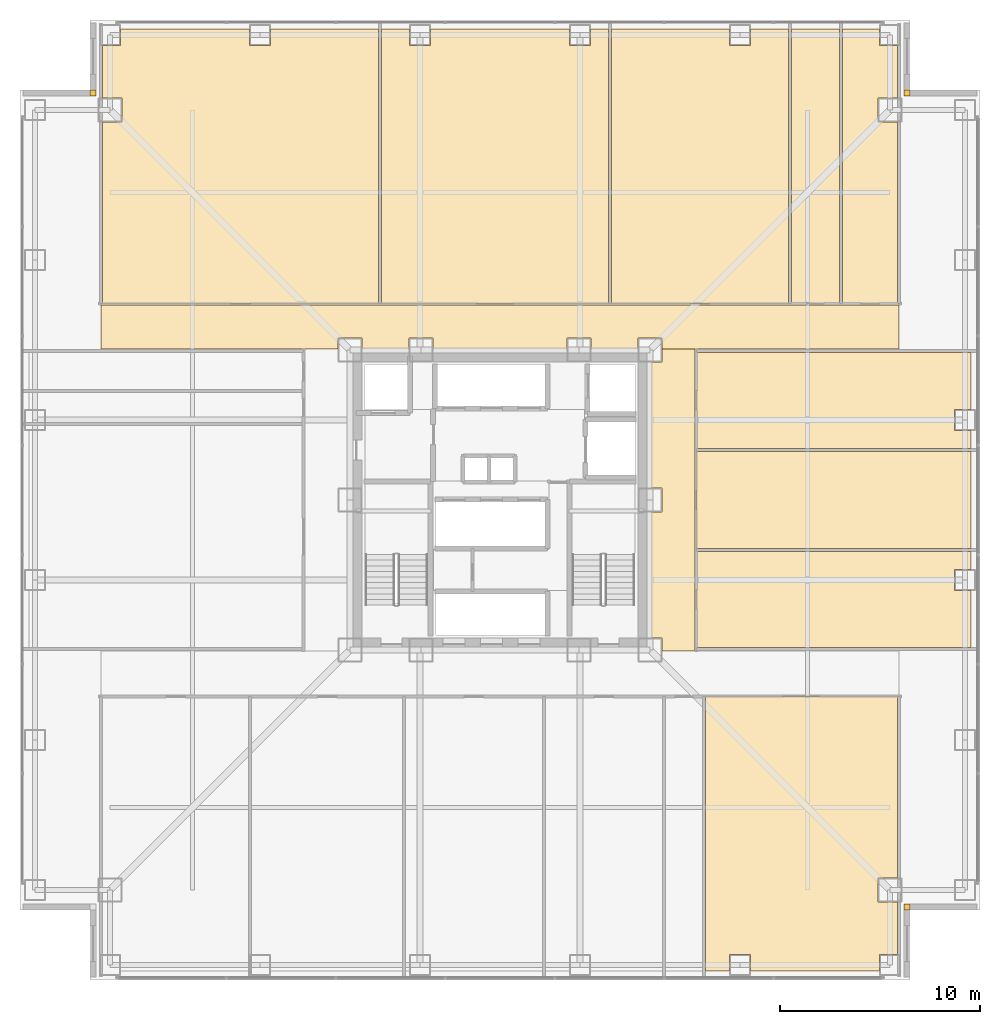
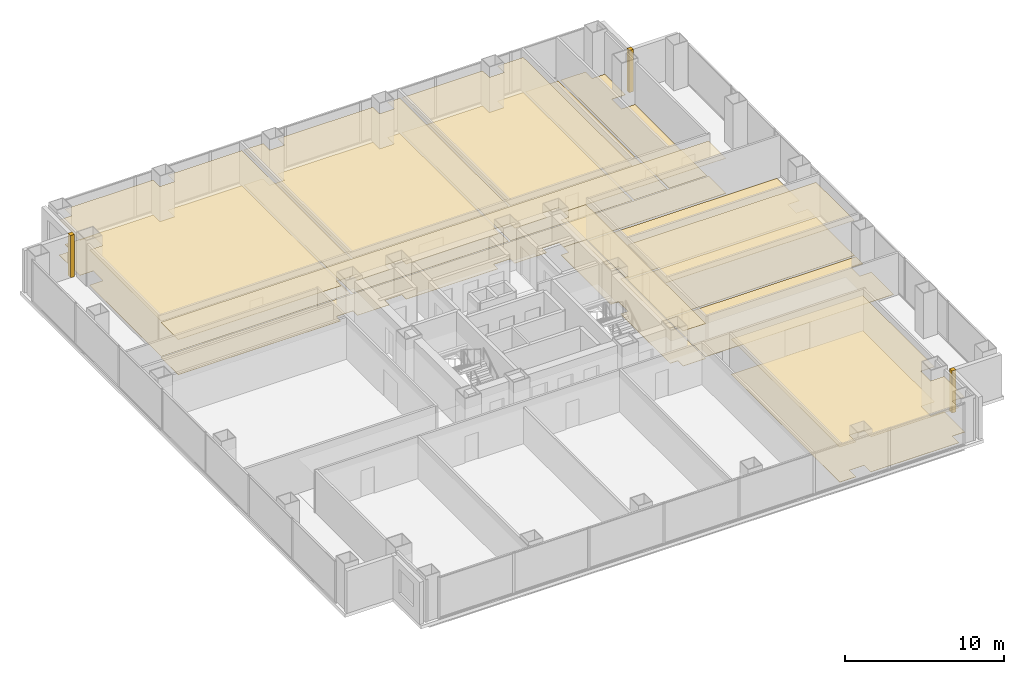
# One storey, part 19 of 19: 21 coverings.
"""IFC4 building model written with IfcOpenShell, lengths in metres."""

from ifc_helpers import new_model, si_unit, direction, frame, origin, place, context, subcontext, project, spatial, polyline, outline, extrude, material, layer, layer_set, type_object, element, save


model = new_model("IFC4")

# Units and contexts
model_context = context("Model", 3, precision=1e-05, world=origin(), true_north=direction((0.0, 1.0)))
body_context = subcontext(model_context, "Body", "Model", "MODEL_VIEW")
ifc_project = project(units=[si_unit("LENGTHUNIT", "METRE"), si_unit("AREAUNIT", "SQUARE_METRE"), si_unit("VOLUMEUNIT", "CUBIC_METRE"), si_unit("PLANEANGLEUNIT", "RADIAN"), si_unit("MASSUNIT", "GRAM", prefix="KILO")], contexts=[model_context])

# Site, building, storey
site_placement = place(None, origin())
site = spatial("IfcSite", under=ifc_project, at=site_placement, CompositionType="ELEMENT")
building_placement = place(site_placement, origin())
building = spatial("IfcBuilding", under=site, at=building_placement, Name="Trevonay Congress Spire", CompositionType="ELEMENT")
storey_placement = place(building_placement, frame((0.0, 0.0, 41.0)))
storey = spatial("IfcBuildingStorey", under=building, at=storey_placement, Name="L09", CompositionType="ELEMENT", Elevation=41.0)

# Coverings
ifc_material_1 = material(Name="Acoustic Mineral Fibre Board", Category="gypsum")
ifc_layer_1 = layer(ifc_material_1, 0.02490234375, Name="Acoustic Mineral Fibre Board")
ifc_layer_set_1 = layer_set([ifc_layer_1], Name="Acoustic Mineral Fibre Board")
covering_type_1 = type_object("IfcCoveringType", Name="COV-CEIL-ACOUSTIC", PredefinedType="CEILING", material=ifc_layer_set_1)
covering_1_placement = place(storey_placement, frame((0.0, 0.0, 2.699951171875)))
element("IfcCovering", 1, at=covering_1_placement, inside=storey, type_object=covering_type_1, Name="L09 Hotel Floor Corridor North acoustic suspended ceiling", PredefinedType="CEILING", context=body_context, shape_type="SweptSolid", body=[
    extrude(outline(polyline([(-19.949951171875, 7.550048828125), (-19.949951171875, 9.75), (19.949951171875, 9.75), (19.949951171875, 7.550048828125), (8.110107421875, 7.550048828125), (8.110107421875, 8.110107421875), (6.889892578125, 8.110107421875), (6.889892578125, 7.550048828125), (4.56005859375, 7.550048828125), (4.56005859375, 8.110107421875), (3.340087890625, 8.110107421875), (3.340087890625, 7.550048828125), (-3.340087890625, 7.550048828125), (-3.340087890625, 8.110107421875), (-4.56005859375, 8.110107421875), (-4.56005859375, 7.550048828125), (-6.889892578125, 7.550048828125), (-6.889892578125, 8.110107421875), (-8.110107421875, 8.110107421875), (-8.110107421875, 7.550048828125), (-19.949951171875, 7.550048828125)])), origin(), (0.0, 0.0, 1.0), 0.025146484375),
])
covering_2_placement = place(storey_placement, frame((0.0, 0.0, 2.699951171875)))
element("IfcCovering", 2, at=covering_2_placement, inside=storey, type_object=covering_type_1, Name="L09 Hotel Floor Corridor East acoustic suspended ceiling", PredefinedType="CEILING", context=body_context, shape_type="SweptSolid", body=[
    extrude(outline(polyline([(9.75, -7.550048828125), (8.110107421875, -7.550048828125), (8.110107421875, -6.889892578125), (7.550048828125, -6.889892578125), (7.550048828125, -0.610107421875), (8.110107421875, -0.610107421875), (8.110107421875, 0.610107421875), (7.550048828125, 0.610107421875), (7.550048828125, 6.889892578125), (8.110107421875, 6.889892578125), (8.110107421875, 7.550048828125), (9.75, 7.550048828125), (9.75, -7.550048828125)])), origin(), (0.0, 0.0, 1.0), 0.025146484375),
])
covering_3_placement = place(storey_placement, frame((0.0, 0.0, 2.699951171875)))
element("IfcCovering", 3, at=covering_3_placement, inside=storey, type_object=covering_type_1, Name="L09 Delegate Seminar Room D acoustic suspended ceiling", PredefinedType="CEILING", context=body_context, shape_type="SweptSolid", body=[
    extrude(outline(polyline([(10.280029296875, -23.550048828125), (10.280029296875, -9.830078125), (19.8701171875, -9.830078125), (19.8701171875, -18.889892578125), (18.889892578125, -18.889892578125), (18.889892578125, -20.110107421875), (19.8701171875, -20.110107421875), (19.8701171875, -22.715087890625), (18.965087890625, -22.715087890625), (18.965087890625, -23.550048828125), (12.534912109375, -23.550048828125), (12.534912109375, -22.715087890625), (11.465087890625, -22.715087890625), (11.465087890625, -23.550048828125), (10.280029296875, -23.550048828125)])), origin(), (0.0, 0.0, 1.0), 0.025146484375),
])
covering_4_placement = place(storey_placement, frame((0.0, 0.0, 2.699951171875)))
element("IfcCovering", 4, at=covering_4_placement, inside=storey, type_object=covering_type_1, Name="L09 Translation Secretariat Office West acoustic suspended ceiling", PredefinedType="CEILING", context=body_context, shape_type="SweptSolid", body=[
    extrude(outline(polyline([(-6.080078125, 23.550048828125), (-6.080078125, 9.830078125), (-19.8701171875, 9.830078125), (-19.8701171875, 18.889892578125), (-18.889892578125, 18.889892578125), (-18.889892578125, 20.110107421875), (-19.8701171875, 20.110107421875), (-19.8701171875, 22.715087890625), (-18.965087890625, 22.715087890625), (-18.965087890625, 23.550048828125), (-12.534912109375, 23.550048828125), (-12.534912109375, 22.715087890625), (-11.465087890625, 22.715087890625), (-11.465087890625, 23.550048828125), (-6.080078125, 23.550048828125)])), origin(), (0.0, 0.0, 1.0), 0.025146484375),
])
covering_5_placement = place(storey_placement, frame((0.0, 0.0, 2.699951171875)))
element("IfcCovering", 5, at=covering_5_placement, inside=storey, type_object=covering_type_1, Name="L09 Rapporteur Drafting Salon acoustic suspended ceiling", PredefinedType="CEILING", context=body_context, shape_type="SweptSolid", body=[
    extrude(outline(polyline([(5.419921875, 23.550048828125), (5.419921875, 9.830078125), (-5.919921875, 9.830078125), (-5.919921875, 23.550048828125), (-4.534912109375, 23.550048828125), (-4.534912109375, 22.715087890625), (-3.465087890625, 22.715087890625), (-3.465087890625, 23.550048828125), (3.465087890625, 23.550048828125), (3.465087890625, 22.715087890625), (4.534912109375, 22.715087890625), (4.534912109375, 23.550048828125), (5.419921875, 23.550048828125)])), origin(), (0.0, 0.0, 1.0), 0.025146484375),
])
covering_6_placement = place(storey_placement, frame((0.0, 0.0, 2.699951171875)))
element("IfcCovering", 6, at=covering_6_placement, inside=storey, type_object=covering_type_1, Name="L09 Congress Operations Office East acoustic suspended ceiling", PredefinedType="CEILING", context=body_context, shape_type="SweptSolid", body=[
    extrude(outline(polyline([(14.419921875, 23.550048828125), (14.419921875, 9.830078125), (5.580078125, 9.830078125), (5.580078125, 23.550048828125), (11.465087890625, 23.550048828125), (11.465087890625, 22.715087890625), (12.534912109375, 22.715087890625), (12.534912109375, 23.550048828125), (14.419921875, 23.550048828125)])), origin(), (0.0, 0.0, 1.0), 0.025146484375),
])
covering_7_placement = place(storey_placement, frame((0.0, 0.0, 2.699951171875)))
element("IfcCovering", 7, at=covering_7_placement, inside=storey, type_object=covering_type_1, Name="L09 Hotel Business Office acoustic suspended ceiling", PredefinedType="CEILING", context=body_context, shape_type="SweptSolid", body=[
    extrude(outline(polyline([(9.830078125, -2.419921875), (23.550048828125, -2.419921875), (23.550048828125, 2.419921875), (9.830078125, 2.419921875), (9.830078125, -2.419921875)])), origin(), (0.0, 0.0, 1.0), 0.025146484375),
])
ifc_material_2 = material(Name="Polished Granite Floor Tile", Category="masonry")
ifc_layer_2 = layer(ifc_material_2, 0.02001953125, Name="Polished Granite Floor Tile")
ifc_layer_set_2 = layer_set([ifc_layer_2], Name="Polished Granite Floor Tile")
covering_type_2 = type_object("IfcCoveringType", Name="COV-FLOOR-STONE", PredefinedType="FLOORING", material=ifc_layer_set_2)
covering_8_placement = place(storey_placement, origin())
element("IfcCovering", 8, at=covering_8_placement, inside=storey, type_object=covering_type_2, Name="L09 Hotel Floor Corridor North floor finish", PredefinedType="FLOORING", context=body_context, shape_type="SweptSolid", body=[
    extrude(outline(polyline([(-19.949951171875, 7.550048828125), (-19.949951171875, 9.75), (19.949951171875, 9.75), (19.949951171875, 7.550048828125), (8.110107421875, 7.550048828125), (8.110107421875, 8.110107421875), (6.889892578125, 8.110107421875), (6.889892578125, 7.550048828125), (4.56005859375, 7.550048828125), (4.56005859375, 8.110107421875), (3.340087890625, 8.110107421875), (3.340087890625, 7.550048828125), (-3.340087890625, 7.550048828125), (-3.340087890625, 8.110107421875), (-4.56005859375, 8.110107421875), (-4.56005859375, 7.550048828125), (-6.889892578125, 7.550048828125), (-6.889892578125, 8.110107421875), (-8.110107421875, 8.110107421875), (-8.110107421875, 7.550048828125), (-19.949951171875, 7.550048828125)])), origin(), (0.0, 0.0, 1.0), 0.02001953125),
])
covering_9_placement = place(storey_placement, origin())
element("IfcCovering", 9, at=covering_9_placement, inside=storey, type_object=covering_type_2, Name="L09 Hotel Floor Corridor East floor finish", PredefinedType="FLOORING", context=body_context, shape_type="SweptSolid", body=[
    extrude(outline(polyline([(9.75, -7.550048828125), (8.110107421875, -7.550048828125), (8.110107421875, -6.889892578125), (7.550048828125, -6.889892578125), (7.550048828125, -0.610107421875), (8.110107421875, -0.610107421875), (8.110107421875, 0.610107421875), (7.550048828125, 0.610107421875), (7.550048828125, 6.889892578125), (8.110107421875, 6.889892578125), (8.110107421875, 7.550048828125), (9.75, 7.550048828125), (9.75, -7.550048828125)])), origin(), (0.0, 0.0, 1.0), 0.02001953125),
])
covering_10_placement = place(storey_placement, origin())
element("IfcCovering", 10, at=covering_10_placement, inside=storey, type_object=covering_type_2, Name="L09 Female Restroom WC floor finish", PredefinedType="FLOORING", context=body_context, shape_type="SweptSolid", body=[
    extrude(outline(polyline([(14.580078125, 9.830078125), (16.969970703125, 9.830078125), (16.969970703125, 23.550048828125), (14.580078125, 23.550048828125), (14.580078125, 9.830078125)])), origin(), (0.0, 0.0, 1.0), 0.02001953125),
])
covering_11_placement = place(storey_placement, origin())
element("IfcCovering", 11, at=covering_11_placement, inside=storey, type_object=covering_type_2, Name="L09 Floor Supplies and Copy Room floor finish", PredefinedType="FLOORING", context=body_context, shape_type="SweptSolid", body=[
    extrude(outline(polyline([(19.8701171875, 9.830078125), (17.1298828125, 9.830078125), (17.1298828125, 23.550048828125), (18.965087890625, 23.550048828125), (18.965087890625, 22.715087890625), (19.8701171875, 22.715087890625), (19.8701171875, 20.110107421875), (18.889892578125, 20.110107421875), (18.889892578125, 18.889892578125), (19.8701171875, 18.889892578125), (19.8701171875, 9.830078125)])), origin(), (0.0, 0.0, 1.0), 0.02001953125),
])
covering_12_placement = place(storey_placement, origin())
element("IfcCovering", 12, at=covering_12_placement, inside=storey, type_object=covering_type_2, Name="L09 Housekeeping and Linen Room floor finish", PredefinedType="FLOORING", context=body_context, shape_type="SweptSolid", body=[
    extrude(outline(polyline([(23.550048828125, -7.3701171875), (9.830078125, -7.3701171875), (9.830078125, -2.580078125), (23.550048828125, -2.580078125), (23.550048828125, -3.465087890625), (22.715087890625, -3.465087890625), (22.715087890625, -4.534912109375), (23.550048828125, -4.534912109375), (23.550048828125, -7.3701171875)])), origin(), (0.0, 0.0, 1.0), 0.02001953125),
])
covering_13_placement = place(storey_placement, origin())
element("IfcCovering", 13, at=covering_13_placement, inside=storey, type_object=covering_type_2, Name="L09 Valet Laundry Room floor finish", PredefinedType="FLOORING", context=body_context, shape_type="SweptSolid", body=[
    extrude(outline(polyline([(23.550048828125, 2.580078125), (9.830078125, 2.580078125), (9.830078125, 7.3701171875), (23.550048828125, 7.3701171875), (23.550048828125, 4.534912109375), (22.715087890625, 4.534912109375), (22.715087890625, 3.465087890625), (23.550048828125, 3.465087890625), (23.550048828125, 2.580078125)])), origin(), (0.0, 0.0, 1.0), 0.02001953125),
])
ifc_material_3 = material(Name="Engineered Oak Flooring", Category="wood")
ifc_layer_3 = layer(ifc_material_3, 0.01806640625, Name="Engineered Oak Flooring")
ifc_layer_set_3 = layer_set([ifc_layer_3], Name="Engineered Oak Flooring")
covering_type_3 = type_object("IfcCoveringType", Name="COV-FLOOR-TIMBER", PredefinedType="FLOORING", material=ifc_layer_set_3)
covering_14_placement = place(storey_placement, origin())
element("IfcCovering", 14, at=covering_14_placement, inside=storey, type_object=covering_type_3, Name="L09 Delegate Seminar Room D floor finish", PredefinedType="FLOORING", context=body_context, shape_type="SweptSolid", body=[
    extrude(outline(polyline([(10.280029296875, -23.550048828125), (10.280029296875, -9.830078125), (19.8701171875, -9.830078125), (19.8701171875, -18.889892578125), (18.889892578125, -18.889892578125), (18.889892578125, -20.110107421875), (19.8701171875, -20.110107421875), (19.8701171875, -22.715087890625), (18.965087890625, -22.715087890625), (18.965087890625, -23.550048828125), (12.534912109375, -23.550048828125), (12.534912109375, -22.715087890625), (11.465087890625, -22.715087890625), (11.465087890625, -23.550048828125), (10.280029296875, -23.550048828125)])), origin(), (0.0, 0.0, 1.0), 0.01806640625),
])
covering_15_placement = place(storey_placement, origin())
element("IfcCovering", 15, at=covering_15_placement, inside=storey, type_object=covering_type_3, Name="L09 Translation Secretariat Office West floor finish", PredefinedType="FLOORING", context=body_context, shape_type="SweptSolid", body=[
    extrude(outline(polyline([(-6.080078125, 23.550048828125), (-6.080078125, 9.830078125), (-19.8701171875, 9.830078125), (-19.8701171875, 18.889892578125), (-18.889892578125, 18.889892578125), (-18.889892578125, 20.110107421875), (-19.8701171875, 20.110107421875), (-19.8701171875, 22.715087890625), (-18.965087890625, 22.715087890625), (-18.965087890625, 23.550048828125), (-12.534912109375, 23.550048828125), (-12.534912109375, 22.715087890625), (-11.465087890625, 22.715087890625), (-11.465087890625, 23.550048828125), (-6.080078125, 23.550048828125)])), origin(), (0.0, 0.0, 1.0), 0.01806640625),
])
covering_16_placement = place(storey_placement, origin())
element("IfcCovering", 16, at=covering_16_placement, inside=storey, type_object=covering_type_3, Name="L09 Rapporteur Drafting Salon floor finish", PredefinedType="FLOORING", context=body_context, shape_type="SweptSolid", body=[
    extrude(outline(polyline([(5.419921875, 23.550048828125), (5.419921875, 9.830078125), (-5.919921875, 9.830078125), (-5.919921875, 23.550048828125), (-4.534912109375, 23.550048828125), (-4.534912109375, 22.715087890625), (-3.465087890625, 22.715087890625), (-3.465087890625, 23.550048828125), (3.465087890625, 23.550048828125), (3.465087890625, 22.715087890625), (4.534912109375, 22.715087890625), (4.534912109375, 23.550048828125), (5.419921875, 23.550048828125)])), origin(), (0.0, 0.0, 1.0), 0.01806640625),
])
covering_17_placement = place(storey_placement, origin())
element("IfcCovering", 17, at=covering_17_placement, inside=storey, type_object=covering_type_3, Name="L09 Congress Operations Office East floor finish", PredefinedType="FLOORING", context=body_context, shape_type="SweptSolid", body=[
    extrude(outline(polyline([(14.419921875, 23.550048828125), (14.419921875, 9.830078125), (5.580078125, 9.830078125), (5.580078125, 23.550048828125), (11.465087890625, 23.550048828125), (11.465087890625, 22.715087890625), (12.534912109375, 22.715087890625), (12.534912109375, 23.550048828125), (14.419921875, 23.550048828125)])), origin(), (0.0, 0.0, 1.0), 0.01806640625),
])
covering_18_placement = place(storey_placement, origin())
element("IfcCovering", 18, at=covering_18_placement, inside=storey, type_object=covering_type_3, Name="L09 Hotel Business Office floor finish", PredefinedType="FLOORING", context=body_context, shape_type="SweptSolid", body=[
    extrude(outline(polyline([(9.830078125, -2.419921875), (23.550048828125, -2.419921875), (23.550048828125, 2.419921875), (9.830078125, 2.419921875), (9.830078125, -2.419921875)])), origin(), (0.0, 0.0, 1.0), 0.01806640625),
])
ifc_material_4 = material(Name="Pale Anodised Aluminium EN AW-6063-T6", Category="aluminium")
ifc_layer_4 = layer(ifc_material_4, 0.0400390625, Name="Pale Anodised Aluminium EN AW-6063-T6")
ifc_layer_set_4 = layer_set([ifc_layer_4], Name="Pale Anodised Aluminium EN AW-6063-T6")
covering_type_4 = type_object("IfcCoveringType", Name="COV-SPANDREL-PALE-METAL", PredefinedType="CLADDING", material=ifc_layer_set_4)
covering_19_placement = place(storey_placement, origin())
element("IfcCovering", 19, at=covering_19_placement, inside=storey, type_object=covering_type_4, Name="L09 SE re-entrant notch corner closure trim", PredefinedType="CLADDING", context=body_context, shape_type="SweptSolid", body=[
    extrude(outline(polyline([(20.199951171875, -20.5), (20.5, -20.5), (20.5, -20.199951171875), (20.199951171875, -20.199951171875), (20.199951171875, -20.5)])), origin(), (0.0, 0.0, 1.0), 3.25),
])
covering_20_placement = place(storey_placement, origin())
element("IfcCovering", 20, at=covering_20_placement, inside=storey, type_object=covering_type_4, Name="L09 NE re-entrant notch corner closure trim", PredefinedType="CLADDING", context=body_context, shape_type="SweptSolid", body=[
    extrude(outline(polyline([(20.199951171875, 20.199951171875), (20.5, 20.199951171875), (20.5, 20.5), (20.199951171875, 20.5), (20.199951171875, 20.199951171875)])), origin(), (0.0, 0.0, 1.0), 3.25),
])
covering_21_placement = place(storey_placement, origin())
element("IfcCovering", 21, at=covering_21_placement, inside=storey, type_object=covering_type_4, Name="L09 NW re-entrant notch corner closure trim", PredefinedType="CLADDING", context=body_context, shape_type="SweptSolid", body=[
    extrude(outline(polyline([(-20.5, 20.199951171875), (-20.199951171875, 20.199951171875), (-20.199951171875, 20.5), (-20.5, 20.5), (-20.5, 20.199951171875)])), origin(), (0.0, 0.0, 1.0), 3.25),
])

save(model, "model.ifc")
